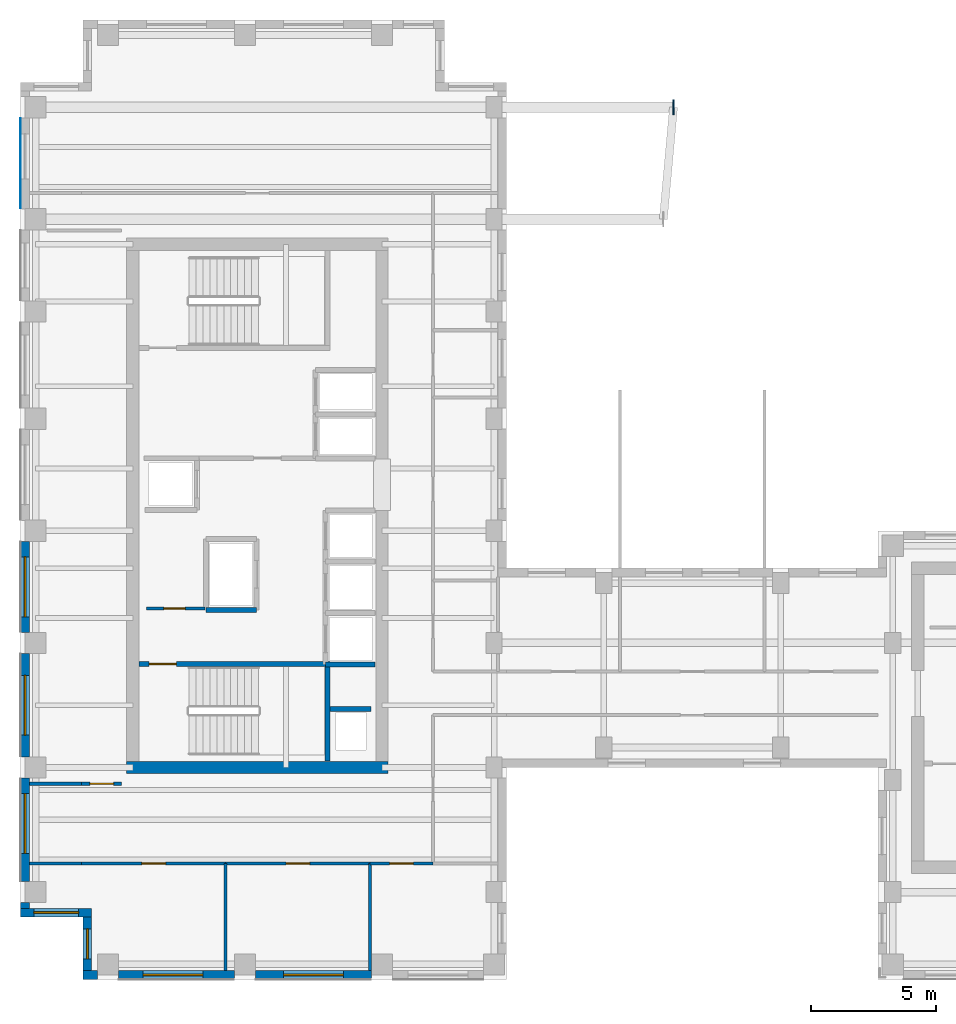
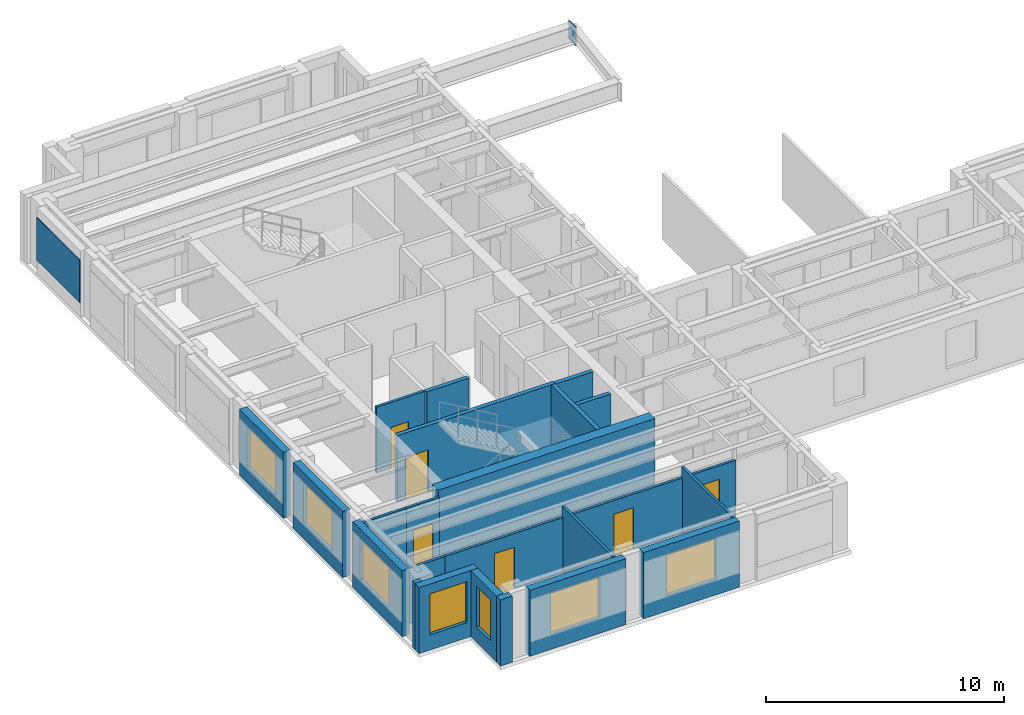
# One storey, part 4 of 11: 24 walls, 7 windows, 6 doors, 2 plates, 13 openings.
"""IFC4 building model written with IfcOpenShell, lengths in metres."""

from ifc_helpers import new_model, si_unit, direction, frame, frame_2d, origin, origin_2d, place, context, subcontext, project, spatial, rectangle, extrude, source, transform, mapped, material, layer, layer_set, type_object, element, fill, save


model = new_model("IFC4")

# Units and contexts
model_context = context("Model", 3, precision=1e-05, world=origin(), true_north=direction((0.0, 1.0)))
body_context = subcontext(model_context, "Body", "Model", "MODEL_VIEW")
ifc_project = project(units=[si_unit("LENGTHUNIT", "METRE"), si_unit("AREAUNIT", "SQUARE_METRE"), si_unit("VOLUMEUNIT", "CUBIC_METRE"), si_unit("PLANEANGLEUNIT", "RADIAN"), si_unit("MASSUNIT", "GRAM", prefix="KILO")], contexts=[model_context])

# Site, building, storey
site_placement = place(None, origin())
site = spatial("IfcSite", under=ifc_project, at=site_placement, CompositionType="ELEMENT")
building_placement = place(site_placement, origin())
building = spatial("IfcBuilding", under=site, at=building_placement, Name="Kharzan Plaza Tower", CompositionType="ELEMENT")
storey_placement = place(building_placement, frame((0.0, 0.0, 234.0)))
storey = spatial("IfcBuildingStorey", under=building, at=storey_placement, Name="L63", CompositionType="ELEMENT", Elevation=234.0)

# Plates
ifc_material_1 = material(Name="Steel S460", Category="steel")
ifc_layer_1 = layer(ifc_material_1, 0.0419921875)
ifc_layer_set_1 = layer_set([ifc_layer_1], Name="Steel S460")
plate_type_1 = type_object("IfcPlateType", Name="PLT-ZTN1", PredefinedType="USERDEFINED", material=ifc_layer_set_1)
shared_shape_1 = source(origin(), body_context, "Body", "SweptSolid", [
    extrude(rectangle(XDim=0.60009765625, YDim=0.0419921875, at=origin_2d()), origin(), (0.0, 0.0, 1.0), 0.949951171875),
])
plate_1_placement = place(storey_placement, frame((26.199951171875, 35.0, 2.44140625), z_axis=(0.0, 0.0, 1.0), x_axis=(0.0, 1.0, 0.0)))
element("IfcPlate", 1, at=plate_1_placement, inside=storey, type_object=plate_type_1, Name="L63 Sky-Terrace Cantilever Tip Plate ZTN1", ObjectType="FLANGE_PLATE", PredefinedType="USERDEFINED", context=body_context, shape_type="MappedRepresentation", body=[
    mapped(shared_shape_1, transform((0.0, 0.0, 0.0), x_axis=(1.0, 0.0, 0.0), y_axis=(0.0, 1.0, 0.0), z_axis=(0.0, 0.0, 1.0))),
])
ifc_material_2 = material(Name="Perforated Bronze-Anodized Aluminium", Category="aluminium")
ifc_layer_2 = layer(ifc_material_2, 0.030029296875)
ifc_layer_set_2 = layer_set([ifc_layer_2], Name="Perforated Bronze-Anodized Aluminium")
plate_type_2 = type_object("IfcPlateType", Name="PLT-MASH-SCREEN", PredefinedType="SHEET", material=ifc_layer_set_2)
shared_shape_2 = source(origin(), body_context, "Body", "SweptSolid", [
    extrude(rectangle(XDim=3.614013671875, YDim=0.030029296875, at=origin_2d()), origin(), (0.0, 0.0, 1.0), 2.199951171875),
])
plate_2_placement = place(storey_placement, frame((-0.012939453125, 32.75, 0.72998046875), z_axis=(0.0, 0.0, 1.0), x_axis=(0.0, -1.0, 0.0)))
element("IfcPlate", 2, at=plate_2_placement, inside=storey, type_object=plate_type_2, Name="L63 Perforated Mashrabiya Solar Screen", PredefinedType="SHEET", context=body_context, shape_type="MappedRepresentation", body=[
    mapped(shared_shape_2, transform((0.0, 0.0, 0.0), x_axis=(1.0, 0.0, 0.0), y_axis=(0.0, 1.0, 0.0), z_axis=(0.0, 0.0, 1.0))),
])

# Wall, opening, window
ifc_material_3 = material(Name="Concrete C40/50", Category="concrete")
ifc_layer_3 = layer(ifc_material_3, 0.35009765625)
ifc_layer_set_3 = layer_set([ifc_layer_3], Name="Concrete C40/50")
wall_type_1 = type_object("IfcWallType", Name="WL-EXT-MAS-Z4", PredefinedType="SOLIDWALL", material=ifc_layer_set_3)
wall_1_placement = place(storey_placement, frame((0.175048828125, 17.576904296875, 0.0), z_axis=(0.0, 0.0, 1.0), x_axis=(0.0, -1.0, 0.0)))
wall_1 = element("IfcWall", 3, at=wall_1_placement, inside=storey, type_object=wall_type_1, Name="L63 Masonry-Frame Exterior Wall 20", PredefinedType="SOLIDWALL", context=body_context, shape_type="SweptSolid", body=[
    extrude(rectangle(XDim=3.65380859375, YDim=0.35009765625, at=frame_2d((1.826904296875, 0.0))), origin(), (0.0, 0.0, 1.0), 3.385009765625),
])
opening_1_placement = place(wall_1_placement, frame((0.626953125, 0.0, 0.780029296875)))
opening_1 = element("IfcOpeningElement", 4, at=opening_1_placement, cuts=wall_1, Name="Opening W2", PredefinedType="OPENING", context=body_context, shape_type="SweptSolid", body=[
    extrude(rectangle(XDim=2.39990234375, YDim=2.10009765625, at=frame_2d((1.199951171875, 1.050048828125))), frame((0.0, 0.18505859375, 0.0), z_axis=(0.0, -1.0, 0.0), x_axis=(1.0, 0.0, 0.0)), (0.0, 0.0, 1.0), 0.3701171875),
])
ifc_material_4 = material(Name="Low-E Double Glazing", Category="glass")
window_type_1 = type_object("IfcWindowType", Name="WN-REC-2400x2100", PartitioningType="SINGLE_PANEL", PredefinedType="WINDOW", material=ifc_material_4)
shared_shape_3 = source(origin(), body_context, "Body", "SweptSolid", [
    extrude(rectangle(XDim=2.39990234375, YDim=2.10009765625, at=frame_2d((1.199951171875, 1.050048828125))), frame((0.0, 0.030029296875, 0.0), z_axis=(0.0, -1.0, 0.0), x_axis=(1.0, 0.0, 0.0)), (0.0, 0.0, 1.0), 0.06005859375),
])
window_1_placement = place(opening_1_placement, origin())
window_1 = element("IfcWindow", 5, at=window_1_placement, inside=storey, type_object=window_type_1, Name="L63 Wide Recessed Solar-Control Window 20-1", OverallHeight=2.10009765625, OverallWidth=2.39990234375, PartitioningType="SINGLE_PANEL", PredefinedType="WINDOW", context=body_context, shape_type="MappedRepresentation", body=[
    mapped(shared_shape_3, transform((0.0, 0.0, 0.0), x_axis=(1.0, 0.0, 0.0), y_axis=(0.0, 1.0, 0.0), z_axis=(0.0, 0.0, 1.0))),
])
fill(opening_1, window_1)

wall_2_placement = place(storey_placement, frame((0.175048828125, 13.076904296875, 0.0), z_axis=(0.0, 0.0, 1.0), x_axis=(0.0, -1.0, 0.0)))
wall_2 = element("IfcWall", 6, at=wall_2_placement, inside=storey, type_object=wall_type_1, Name="L63 Masonry-Frame Exterior Wall 21", PredefinedType="SOLIDWALL", context=body_context, shape_type="SweptSolid", body=[
    extrude(rectangle(XDim=4.15380859375, YDim=0.35009765625, at=frame_2d((2.076904296875, 0.0))), origin(), (0.0, 0.0, 1.0), 3.385009765625),
])
opening_2_placement = place(wall_2_placement, frame((0.876953125, 0.0, 0.780029296875)))
opening_2 = element("IfcOpeningElement", 7, at=opening_2_placement, cuts=wall_2, Name="Opening W2", PredefinedType="OPENING", context=body_context, shape_type="SweptSolid", body=[
    extrude(rectangle(XDim=2.39990234375, YDim=2.10009765625, at=frame_2d((1.199951171875, 1.050048828125))), frame((0.0, 0.18505859375, 0.0), z_axis=(0.0, -1.0, 0.0), x_axis=(1.0, 0.0, 0.0)), (0.0, 0.0, 1.0), 0.3701171875),
])
window_2_placement = place(opening_2_placement, origin())
window_2 = element("IfcWindow", 8, at=window_2_placement, inside=storey, type_object=window_type_1, Name="L63 Wide Recessed Solar-Control Window 21-1", OverallHeight=2.10009765625, OverallWidth=2.39990234375, PartitioningType="SINGLE_PANEL", PredefinedType="WINDOW", context=body_context, shape_type="MappedRepresentation", body=[
    mapped(shared_shape_3, transform((0.0, 0.0, 0.0), x_axis=(1.0, 0.0, 0.0), y_axis=(0.0, 1.0, 0.0), z_axis=(0.0, 0.0, 1.0))),
])
fill(opening_2, window_2)

wall_3_placement = place(storey_placement, frame((0.175048828125, 8.076904296875, 0.0), z_axis=(0.0, 0.0, 1.0), x_axis=(0.0, -1.0, 0.0)))
wall_3 = element("IfcWall", 9, at=wall_3_placement, inside=storey, type_object=wall_type_1, Name="L63 Masonry-Frame Exterior Wall 22", PredefinedType="SOLIDWALL", context=body_context, shape_type="SweptSolid", body=[
    extrude(rectangle(XDim=4.15380859375, YDim=0.35009765625, at=frame_2d((2.076904296875, 0.0))), origin(), (0.0, 0.0, 1.0), 3.385009765625),
])
opening_3_placement = place(wall_3_placement, frame((0.626953125, 0.0, 0.780029296875)))
opening_3 = element("IfcOpeningElement", 10, at=opening_3_placement, cuts=wall_3, Name="Opening W2", PredefinedType="OPENING", context=body_context, shape_type="SweptSolid", body=[
    extrude(rectangle(XDim=2.39990234375, YDim=2.10009765625, at=frame_2d((1.199951171875, 1.050048828125))), frame((0.0, 0.18505859375, 0.0), z_axis=(0.0, -1.0, 0.0), x_axis=(1.0, 0.0, 0.0)), (0.0, 0.0, 1.0), 0.3701171875),
])
window_3_placement = place(opening_3_placement, origin())
window_3 = element("IfcWindow", 11, at=window_3_placement, inside=storey, type_object=window_type_1, Name="L63 Wide Recessed Solar-Control Window 22-1", OverallHeight=2.10009765625, OverallWidth=2.39990234375, PartitioningType="SINGLE_PANEL", PredefinedType="WINDOW", context=body_context, shape_type="MappedRepresentation", body=[
    mapped(shared_shape_3, transform((0.0, 0.0, 0.0), x_axis=(1.0, 0.0, 0.0), y_axis=(0.0, 1.0, 0.0), z_axis=(0.0, 0.0, 1.0))),
])
fill(opening_3, window_3)

wall_4_placement = place(storey_placement, frame((0.0, 2.675048828125, 0.0), z_axis=(0.0, 0.0, 1.0), x_axis=(1.0, 0.0, 0.0)))
wall_4 = element("IfcWall", 12, at=wall_4_placement, inside=storey, type_object=wall_type_1, Name="L63 Masonry-Frame Exterior Wall 24", PredefinedType="SOLIDWALL", context=body_context, shape_type="SweptSolid", body=[
    extrude(rectangle(XDim=2.85009765625, YDim=0.35009765625, at=frame_2d((1.425048828125, 0.0))), origin(), (0.0, 0.0, 1.0), 3.385009765625),
])
opening_4_placement = place(wall_4_placement, frame((0.52490234375, 0.0, 0.780029296875)))
opening_4 = element("IfcOpeningElement", 13, at=opening_4_placement, cuts=wall_4, Name="Opening W1", PredefinedType="OPENING", context=body_context, shape_type="SweptSolid", body=[
    extrude(rectangle(XDim=1.800048828125, YDim=2.10009765625, at=frame_2d((0.89990234375, 1.050048828125))), frame((0.0, 0.18505859375, 0.0), z_axis=(0.0, -1.0, 0.0), x_axis=(1.0, 0.0, 0.0)), (0.0, 0.0, 1.0), 0.3701171875),
])
window_type_2 = type_object("IfcWindowType", Name="WN-REC-1800x2100", PartitioningType="SINGLE_PANEL", PredefinedType="WINDOW", material=ifc_material_4)
shared_shape_4 = source(origin(), body_context, "Body", "SweptSolid", [
    extrude(rectangle(XDim=1.800048828125, YDim=2.10009765625, at=frame_2d((0.89990234375, 1.050048828125))), frame((0.0, 0.030029296875, 0.0), z_axis=(0.0, -1.0, 0.0), x_axis=(1.0, 0.0, 0.0)), (0.0, 0.0, 1.0), 0.06005859375),
])
window_4_placement = place(opening_4_placement, origin())
window_4 = element("IfcWindow", 14, at=window_4_placement, inside=storey, type_object=window_type_2, Name="L63 Recessed Solar-Control Window 24-1", OverallHeight=2.10009765625, OverallWidth=1.800048828125, PartitioningType="SINGLE_PANEL", PredefinedType="WINDOW", context=body_context, shape_type="MappedRepresentation", body=[
    mapped(shared_shape_4, transform((0.0, 0.0, 0.0), x_axis=(1.0, 0.0, 0.0), y_axis=(0.0, 1.0, 0.0), z_axis=(0.0, 0.0, 1.0))),
])
fill(opening_4, window_4)

wall_5_placement = place(storey_placement, frame((2.675048828125, 2.501953125, 0.0), z_axis=(0.0, 0.0, 1.0), x_axis=(0.0, -1.0, 0.0)))
wall_5 = element("IfcWall", 15, at=wall_5_placement, inside=storey, type_object=wall_type_1, Name="L63 Masonry-Frame Exterior Wall 25", PredefinedType="SOLIDWALL", context=body_context, shape_type="SweptSolid", body=[
    extrude(rectangle(XDim=2.154052734375, YDim=0.35009765625, at=frame_2d((1.0771484375, 0.0))), origin(), (0.0, 0.0, 1.0), 3.385009765625),
])
opening_5_placement = place(wall_5_placement, frame((0.47705078125, 0.0, 0.780029296875)))
opening_5 = element("IfcOpeningElement", 16, at=opening_5_placement, cuts=wall_5, Name="Opening W3", PredefinedType="OPENING", context=body_context, shape_type="SweptSolid", body=[
    extrude(rectangle(XDim=1.199951171875, YDim=2.10009765625, at=frame_2d((0.60009765625, 1.050048828125))), frame((0.0, 0.18505859375, 0.0), z_axis=(0.0, -1.0, 0.0), x_axis=(1.0, 0.0, 0.0)), (0.0, 0.0, 1.0), 0.3701171875),
])
window_type_3 = type_object("IfcWindowType", Name="WN-REC-1200x2100", PartitioningType="SINGLE_PANEL", PredefinedType="WINDOW", material=ifc_material_4)
shared_shape_5 = source(origin(), body_context, "Body", "SweptSolid", [
    extrude(rectangle(XDim=1.199951171875, YDim=2.10009765625, at=frame_2d((0.60009765625, 1.050048828125))), frame((0.0, 0.030029296875, 0.0), z_axis=(0.0, -1.0, 0.0), x_axis=(1.0, 0.0, 0.0)), (0.0, 0.0, 1.0), 0.06005859375),
])
window_5_placement = place(opening_5_placement, origin())
window_5 = element("IfcWindow", 17, at=window_5_placement, inside=storey, type_object=window_type_3, Name="L63 Recessed Solar-Control Window 25-1", OverallHeight=2.10009765625, OverallWidth=1.199951171875, PartitioningType="SINGLE_PANEL", PredefinedType="WINDOW", context=body_context, shape_type="MappedRepresentation", body=[
    mapped(shared_shape_5, transform((0.0, 0.0, 0.0), x_axis=(1.0, 0.0, 0.0), y_axis=(0.0, 1.0, 0.0), z_axis=(0.0, 0.0, 1.0))),
])
fill(opening_5, window_5)

wall_6_placement = place(storey_placement, frame((3.923095703125, 0.175048828125, 0.0), z_axis=(0.0, 0.0, 1.0), x_axis=(1.0, 0.0, 0.0)))
wall_6 = element("IfcWall", 18, at=wall_6_placement, inside=storey, type_object=wall_type_1, Name="L63 Masonry-Frame Exterior Wall 27", PredefinedType="SOLIDWALL", context=body_context, shape_type="SweptSolid", body=[
    extrude(rectangle(XDim=4.65380859375, YDim=0.35009765625, at=frame_2d((2.326904296875, 0.0))), origin(), (0.0, 0.0, 1.0), 3.385009765625),
])
opening_6_placement = place(wall_6_placement, frame((0.987060546875, 0.0, 0.780029296875)))
opening_6 = element("IfcOpeningElement", 19, at=opening_6_placement, cuts=wall_6, Name="Opening W2", PredefinedType="OPENING", context=body_context, shape_type="SweptSolid", body=[
    extrude(rectangle(XDim=2.39990234375, YDim=2.10009765625, at=frame_2d((1.199951171875, 1.050048828125))), frame((0.0, 0.18505859375, 0.0), z_axis=(0.0, -1.0, 0.0), x_axis=(1.0, 0.0, 0.0)), (0.0, 0.0, 1.0), 0.3701171875),
])
window_6_placement = place(opening_6_placement, origin())
window_6 = element("IfcWindow", 20, at=window_6_placement, inside=storey, type_object=window_type_1, Name="L63 Wide Recessed Solar-Control Window 27-1", OverallHeight=2.10009765625, OverallWidth=2.39990234375, PartitioningType="SINGLE_PANEL", PredefinedType="WINDOW", context=body_context, shape_type="MappedRepresentation", body=[
    mapped(shared_shape_3, transform((0.0, 0.0, 0.0), x_axis=(1.0, 0.0, 0.0), y_axis=(0.0, 1.0, 0.0), z_axis=(0.0, 0.0, 1.0))),
])
fill(opening_6, window_6)

wall_7_placement = place(storey_placement, frame((9.423095703125, 0.175048828125, 0.0), z_axis=(0.0, 0.0, 1.0), x_axis=(1.0, 0.0, 0.0)))
wall_7 = element("IfcWall", 21, at=wall_7_placement, inside=storey, type_object=wall_type_1, Name="L63 Masonry-Frame Exterior Wall 28", PredefinedType="SOLIDWALL", context=body_context, shape_type="SweptSolid", body=[
    extrude(rectangle(XDim=4.65380859375, YDim=0.35009765625, at=frame_2d((2.326904296875, 0.0))), origin(), (0.0, 0.0, 1.0), 3.385009765625),
])
opening_7_placement = place(wall_7_placement, frame((1.126953125, 0.0, 0.780029296875)))
opening_7 = element("IfcOpeningElement", 22, at=opening_7_placement, cuts=wall_7, Name="Opening W2", PredefinedType="OPENING", context=body_context, shape_type="SweptSolid", body=[
    extrude(rectangle(XDim=2.39990234375, YDim=2.10009765625, at=frame_2d((1.199951171875, 1.050048828125))), frame((0.0, 0.18505859375, 0.0), z_axis=(0.0, -1.0, 0.0), x_axis=(1.0, 0.0, 0.0)), (0.0, 0.0, 1.0), 0.3701171875),
])
window_7_placement = place(opening_7_placement, origin())
window_7 = element("IfcWindow", 23, at=window_7_placement, inside=storey, type_object=window_type_1, Name="L63 Wide Recessed Solar-Control Window 28-1", OverallHeight=2.10009765625, OverallWidth=2.39990234375, PartitioningType="SINGLE_PANEL", PredefinedType="WINDOW", context=body_context, shape_type="MappedRepresentation", body=[
    mapped(shared_shape_3, transform((0.0, 0.0, 0.0), x_axis=(1.0, 0.0, 0.0), y_axis=(0.0, 1.0, 0.0), z_axis=(0.0, 0.0, 1.0))),
])
fill(opening_7, window_7)

# Wall, opening, door
ifc_material_5 = material(Name="Fire-Rated Gypsum Board Partition", Category="gypsum")
ifc_layer_4 = layer(ifc_material_5, 0.125)
ifc_layer_set_4 = layer_set([ifc_layer_4], Name="Fire-Rated Gypsum Board Partition")
wall_type_2 = type_object("IfcWallType", Name="WL-INT-PART-125", PredefinedType="PARTITIONING", material=ifc_layer_set_4)
wall_8_placement = place(storey_placement, frame((5.050048828125, 14.8798828125, 0.0), z_axis=(0.0, 0.0, 1.0), x_axis=(1.0, 0.0, 0.0)))
wall_8 = element("IfcWall", 24, at=wall_8_placement, inside=storey, type_object=wall_type_2, Name="L63 Interior Partition CA-K0", PredefinedType="PARTITIONING", context=body_context, shape_type="SweptSolid", body=[
    extrude(rectangle(XDim=2.349853515625, YDim=0.125, at=frame_2d((1.1748046875, 0.0))), origin(), (0.0, 0.0, 1.0), 3.385009765625),
])
opening_8_placement = place(wall_8_placement, frame((0.699951171875, 0.0, 0.0)))
opening_8 = element("IfcOpeningElement", 25, at=opening_8_placement, cuts=wall_8, Name="Opening RD1", PredefinedType="OPENING", context=body_context, shape_type="SweptSolid", body=[
    extrude(rectangle(XDim=0.85009765625, YDim=2.10009765625, at=frame_2d((0.425048828125, 1.050048828125))), frame((0.0, 0.072509765625, 0.0), z_axis=(0.0, -1.0, 0.0), x_axis=(1.0, 0.0, 0.0)), (0.0, 0.0, 1.0), 0.14501953125),
])
ifc_material_6 = material(Name="Powder-Coated Fire-Rated Steel", Category="steel")
door_type_1 = type_object("IfcDoorType", Name="DR-RISER-900", OperationType="NOTDEFINED", PredefinedType="DOOR", material=ifc_material_6)
shared_shape_6 = source(origin(), body_context, "Body", "SweptSolid", [
    extrude(rectangle(XDim=0.85009765625, YDim=2.10009765625, at=frame_2d((0.425048828125, 1.050048828125))), frame((0.0, 0.02490234375, 0.0), z_axis=(0.0, -1.0, 0.0), x_axis=(1.0, 0.0, 0.0)), (0.0, 0.0, 1.0), 0.050048828125),
])
door_1_placement = place(opening_8_placement, origin())
door_1 = element("IfcDoor", 26, at=door_1_placement, inside=storey, type_object=door_type_1, Name="L63 Cleaners Store Door", OperationType="SINGLE_SWING_LEFT", OverallHeight=2.10009765625, OverallWidth=0.85009765625, PredefinedType="DOOR", context=body_context, shape_type="MappedRepresentation", body=[
    mapped(shared_shape_6, transform((0.0, 0.0, 0.0), x_axis=(1.0, 0.0, 0.0), y_axis=(0.0, 1.0, 0.0), z_axis=(0.0, 0.0, 1.0))),
])
fill(opening_8, door_1)

wall_9_placement = place(storey_placement, frame((2.449951171875, 7.85009765625, 0.0), z_axis=(0.0, 0.0, 1.0), x_axis=(1.0, 0.0, 0.0)))
wall_9 = element("IfcWall", 27, at=wall_9_placement, inside=storey, type_object=wall_type_2, Name="L63 Interior Partition SH-RWSD", PredefinedType="PARTITIONING", context=body_context, shape_type="SweptSolid", body=[
    extrude(rectangle(XDim=1.60009765625, YDim=0.125, at=frame_2d((0.800048828125, 0.0))), origin(), (0.0, 0.0, 1.0), 3.385009765625),
])
opening_9_placement = place(wall_9_placement, frame((0.324951171875, 0.0, 0.0)))
opening_9 = element("IfcOpeningElement", 28, at=opening_9_placement, cuts=wall_9, Name="Opening OD1", PredefinedType="OPENING", context=body_context, shape_type="SweptSolid", body=[
    extrude(rectangle(XDim=0.949951171875, YDim=2.14990234375, at=frame_2d((0.47509765625, 1.074951171875))), frame((0.0, 0.072509765625, 0.0), z_axis=(0.0, -1.0, 0.0), x_axis=(1.0, 0.0, 0.0)), (0.0, 0.0, 1.0), 0.14501953125),
])
ifc_material_7 = material(Name="Acoustic Solid-Core Stained Oak", Category="timber")
door_type_2 = type_object("IfcDoorType", Name="DR-OFF-SINGLE", OperationType="NOTDEFINED", PredefinedType="DOOR", material=ifc_material_7)
shared_shape_7 = source(origin(), body_context, "Body", "SweptSolid", [
    extrude(rectangle(XDim=0.949951171875, YDim=2.14990234375, at=frame_2d((0.47509765625, 1.074951171875))), frame((0.0, 0.02490234375, 0.0), z_axis=(0.0, -1.0, 0.0), x_axis=(1.0, 0.0, 0.0)), (0.0, 0.0, 1.0), 0.050048828125),
])
door_2_placement = place(opening_9_placement, origin())
door_2 = element("IfcDoor", 29, at=door_2_placement, inside=storey, type_object=door_type_2, Name="L63 West Studio South Door", OperationType="SINGLE_SWING_RIGHT", OverallHeight=2.14990234375, OverallWidth=0.949951171875, PredefinedType="DOOR", context=body_context, shape_type="MappedRepresentation", body=[
    mapped(shared_shape_7, transform((0.0, 0.0, 0.0), x_axis=(1.0, 0.0, 0.0), y_axis=(0.0, 1.0, 0.0), z_axis=(0.0, 0.0, 1.0))),
])
fill(opening_9, door_2)

wall_10_placement = place(storey_placement, frame((2.449951171875, 4.64990234375, 0.0), z_axis=(0.0, 0.0, 1.0), x_axis=(1.0, 0.0, 0.0)))
wall_10 = element("IfcWall", 30, at=wall_10_placement, inside=storey, type_object=wall_type_2, Name="L63 Interior Partition SH-SS-1", PredefinedType="PARTITIONING", context=body_context, shape_type="SweptSolid", body=[
    extrude(rectangle(XDim=5.777099609375, YDim=0.125, at=frame_2d((2.888671875, 0.0))), origin(), (0.0, 0.0, 1.0), 2.847900390625),
])
opening_10_placement = place(wall_10_placement, frame((2.41357421875, 0.0, 0.0)))
opening_10 = element("IfcOpeningElement", 31, at=opening_10_placement, cuts=wall_10, Name="Opening OD1", PredefinedType="OPENING", context=body_context, shape_type="SweptSolid", body=[
    extrude(rectangle(XDim=0.949951171875, YDim=2.14990234375, at=frame_2d((0.47509765625, 1.074951171875))), frame((0.0, 0.072509765625, 0.0), z_axis=(0.0, -1.0, 0.0), x_axis=(1.0, 0.0, 0.0)), (0.0, 0.0, 1.0), 0.14501953125),
])
door_3_placement = place(opening_10_placement, origin())
door_3 = element("IfcDoor", 32, at=door_3_placement, inside=storey, type_object=door_type_2, Name="L63 Software Engineering Office Door", OperationType="SINGLE_SWING_LEFT", OverallHeight=2.14990234375, OverallWidth=0.949951171875, PredefinedType="DOOR", context=body_context, shape_type="MappedRepresentation", body=[
    mapped(shared_shape_7, transform((0.0, 0.0, 0.0), x_axis=(1.0, 0.0, 0.0), y_axis=(0.0, 1.0, 0.0), z_axis=(0.0, 0.0, 1.0))),
])
fill(opening_10, door_3)

wall_11_placement = place(storey_placement, frame((8.22705078125, 4.64990234375, 0.0), z_axis=(0.0, 0.0, 1.0), x_axis=(1.0, 0.0, 0.0)))
wall_11 = element("IfcWall", 33, at=wall_11_placement, inside=storey, type_object=wall_type_2, Name="L63 Interior Partition SH-SS-2", PredefinedType="PARTITIONING", context=body_context, shape_type="SweptSolid", body=[
    extrude(rectangle(XDim=5.7919921875, YDim=0.125, at=frame_2d((2.89599609375, 0.0))), origin(), (0.0, 0.0, 1.0), 2.847900390625),
])
opening_11_placement = place(wall_11_placement, frame((2.4208984375, 0.0, 0.0)))
opening_11 = element("IfcOpeningElement", 34, at=opening_11_placement, cuts=wall_11, Name="Opening OD1", PredefinedType="OPENING", context=body_context, shape_type="SweptSolid", body=[
    extrude(rectangle(XDim=0.949951171875, YDim=2.14990234375, at=frame_2d((0.47509765625, 1.074951171875))), frame((0.0, 0.072509765625, 0.0), z_axis=(0.0, -1.0, 0.0), x_axis=(1.0, 0.0, 0.0)), (0.0, 0.0, 1.0), 0.14501953125),
])
door_4_placement = place(opening_11_placement, origin())
door_4 = element("IfcDoor", 35, at=door_4_placement, inside=storey, type_object=door_type_2, Name="L63 Cloud Architecture Office Door", OperationType="SINGLE_SWING_RIGHT", OverallHeight=2.14990234375, OverallWidth=0.949951171875, PredefinedType="DOOR", context=body_context, shape_type="MappedRepresentation", body=[
    mapped(shared_shape_7, transform((0.0, 0.0, 0.0), x_axis=(1.0, 0.0, 0.0), y_axis=(0.0, 1.0, 0.0), z_axis=(0.0, 0.0, 1.0))),
])
fill(opening_11, door_4)

wall_12_placement = place(storey_placement, frame((14.01904296875, 4.64990234375, 0.0), z_axis=(0.0, 0.0, 1.0), x_axis=(1.0, 0.0, 0.0)))
wall_12 = element("IfcWall", 36, at=wall_12_placement, inside=storey, type_object=wall_type_2, Name="L63 Interior Partition SH-SS-3", PredefinedType="PARTITIONING", context=body_context, shape_type="SweptSolid", body=[
    extrude(rectangle(XDim=2.531005859375, YDim=0.125, at=frame_2d((1.265625, 0.0))), origin(), (0.0, 0.0, 1.0), 2.847900390625),
])
opening_12_placement = place(wall_12_placement, frame((0.79052734375, 0.0, 0.0)))
opening_12 = element("IfcOpeningElement", 37, at=opening_12_placement, cuts=wall_12, Name="Opening OD1", PredefinedType="OPENING", context=body_context, shape_type="SweptSolid", body=[
    extrude(rectangle(XDim=0.949951171875, YDim=2.14990234375, at=frame_2d((0.47509765625, 1.074951171875))), frame((0.0, 0.072509765625, 0.0), z_axis=(0.0, -1.0, 0.0), x_axis=(1.0, 0.0, 0.0)), (0.0, 0.0, 1.0), 0.14501953125),
])
door_5_placement = place(opening_12_placement, origin())
door_5 = element("IfcDoor", 38, at=door_5_placement, inside=storey, type_object=door_type_2, Name="L63 Sprint Review Meeting Room Door", OperationType="SINGLE_SWING_LEFT", OverallHeight=2.14990234375, OverallWidth=0.949951171875, PredefinedType="DOOR", context=body_context, shape_type="MappedRepresentation", body=[
    mapped(shared_shape_7, transform((0.0, 0.0, 0.0), x_axis=(1.0, 0.0, 0.0), y_axis=(0.0, 1.0, 0.0), z_axis=(0.0, 0.0, 1.0))),
])
fill(opening_12, door_5)

ifc_material_8 = material(Name="Concrete C50/60", Category="concrete")
ifc_layer_5 = layer(ifc_material_8, 0.199951171875)
ifc_layer_set_5 = layer_set([ifc_layer_5], Name="Concrete C50/60")
wall_type_3 = type_object("IfcWallType", Name="WL-SHAFT-RC200", PredefinedType="SHEAR", material=ifc_layer_set_5)
wall_13_placement = place(storey_placement, frame((4.751953125, 12.655029296875, 0.0), z_axis=(0.0, 0.0, 1.0), x_axis=(1.0, 0.0, 0.0)))
wall_13 = element("IfcWall", 39, at=wall_13_placement, inside=storey, type_object=wall_type_3, Name="L63 Stair ST-1 North RC Shaft Wall", PredefinedType="SHEAR", context=body_context, shape_type="SweptSolid", body=[
    extrude(rectangle(XDim=7.653076171875, YDim=0.199951171875, at=frame_2d((3.82666015625, 0.0))), origin(), (0.0, 0.0, 1.0), 3.39990234375),
])
opening_13_placement = place(wall_13_placement, frame((0.39990234375, 0.0, 0.0)))
opening_13 = element("IfcOpeningElement", 40, at=opening_13_placement, cuts=wall_13, Name="Opening SD1", PredefinedType="OPENING", context=body_context, shape_type="SweptSolid", body=[
    extrude(rectangle(XDim=1.10009765625, YDim=2.14990234375, at=frame_2d((0.550048828125, 1.074951171875))), frame((0.0, 0.10986328125, 0.0), z_axis=(0.0, -1.0, 0.0), x_axis=(1.0, 0.0, 0.0)), (0.0, 0.0, 1.0), 0.219970703125),
])
ifc_material_9 = material(Name="Fire-Rated Hollow Galvanized Steel", Category="steel")
door_type_3 = type_object("IfcDoorType", Name="DR-STAIR-FD120", OperationType="NOTDEFINED", PredefinedType="DOOR", material=ifc_material_9)
shared_shape_8 = source(origin(), body_context, "Body", "SweptSolid", [
    extrude(rectangle(XDim=1.10009765625, YDim=2.14990234375, at=frame_2d((0.550048828125, 1.074951171875))), frame((0.0, 0.02490234375, 0.0), z_axis=(0.0, -1.0, 0.0), x_axis=(1.0, 0.0, 0.0)), (0.0, 0.0, 1.0), 0.050048828125),
])
door_6_placement = place(opening_13_placement, origin())
door_6 = element("IfcDoor", 41, at=door_6_placement, inside=storey, type_object=door_type_3, Name="L63 Stair ST-1 Fire Exit Door", OperationType="SINGLE_SWING_RIGHT", OverallHeight=2.14990234375, OverallWidth=1.10009765625, PredefinedType="DOOR", context=body_context, shape_type="MappedRepresentation", body=[
    mapped(shared_shape_8, transform((0.0, 0.0, 0.0), x_axis=(1.0, 0.0, 0.0), y_axis=(0.0, 1.0, 0.0), z_axis=(0.0, 0.0, 1.0))),
])
fill(opening_13, door_6)

# Walls
shared_shape_9 = source(origin(), body_context, "Body", "SweptSolid", [
    extrude(rectangle(XDim=2.097900390625, YDim=0.125, at=frame_2d((1.048828125, 0.0))), origin(), (0.0, 0.0, 1.0), 3.385009765625),
])
wall_14_placement = place(storey_placement, frame((0.35205078125, 7.85009765625, 0.0), z_axis=(0.0, 0.0, 1.0), x_axis=(1.0, 0.0, 0.0)))
element("IfcWall", 42, at=wall_14_placement, inside=storey, type_object=wall_type_2, Name="L63 Interior Partition SH-RWS0", PredefinedType="PARTITIONING", context=body_context, shape_type="MappedRepresentation", body=[
    mapped(shared_shape_9, transform((0.0, 0.0, 0.0), x_axis=(1.0, 0.0, 0.0), y_axis=(0.0, 1.0, 0.0), z_axis=(0.0, 0.0, 1.0))),
])
shared_shape_10 = source(origin(), body_context, "Body", "SweptSolid", [
    extrude(rectangle(XDim=2.097900390625, YDim=0.125, at=frame_2d((1.048828125, 0.0))), origin(), (0.0, 0.0, 1.0), 2.847900390625),
])
wall_15_placement = place(storey_placement, frame((0.35205078125, 4.64990234375, 0.0), z_axis=(0.0, 0.0, 1.0), x_axis=(1.0, 0.0, 0.0)))
element("IfcWall", 43, at=wall_15_placement, inside=storey, type_object=wall_type_2, Name="L63 Interior Partition SH-SS-EXT", PredefinedType="PARTITIONING", context=body_context, shape_type="MappedRepresentation", body=[
    mapped(shared_shape_10, transform((0.0, 0.0, 0.0), x_axis=(1.0, 0.0, 0.0), y_axis=(0.0, 1.0, 0.0), z_axis=(0.0, 0.0, 1.0))),
])
shared_shape_11 = source(origin(), body_context, "Body", "SweptSolid", [
    extrude(rectangle(XDim=4.2978515625, YDim=0.125, at=frame_2d((2.14892578125, 0.0))), origin(), (0.0, 0.0, 1.0), 3.385009765625),
])
for number, where, z_axis, x_axis, name in (
    (44, (8.22705078125, 0.35205078125, 0.0), (0.0, 0.0, 1.0), (0.0, 1.0, 0.0), "L63 Interior Partition SH-SV-1"),
    (45, (14.01904296875, 0.35205078125, 0.0), (0.0, 0.0, 1.0), (0.0, 1.0, 0.0), "L63 Interior Partition SH-SV-2"),
):
    element("IfcWall", number, at=place(storey_placement, frame(where, z_axis=z_axis, x_axis=x_axis)), inside=storey, type_object=wall_type_2, Name=name, PredefinedType="PARTITIONING", context=body_context, shape_type="MappedRepresentation", body=[
        mapped(shared_shape_11, transform((0.0, 0.0, 0.0), x_axis=(1.0, 0.0, 0.0), y_axis=(0.0, 1.0, 0.0), z_axis=(0.0, 0.0, 1.0))),
    ])
ifc_layer_6 = layer(ifc_material_3, 0.199951171875)
ifc_layer_set_6 = layer_set([ifc_layer_6], Name="Concrete C40/50")
wall_type_4 = type_object("IfcWallType", Name="WL-INT-SHAFT-200", PredefinedType="PARTITIONING", material=ifc_layer_set_6)
shared_shape_12 = source(origin(), body_context, "Body", "SweptSolid", [
    extrude(rectangle(XDim=1.630126953125, YDim=0.199951171875, at=frame_2d((0.81494140625, 0.0))), origin(), (0.0, 0.0, 1.0), 3.385009765625),
])
wall_16_placement = place(storey_placement, frame((12.419921875, 10.85009765625, 0.0), z_axis=(0.0, 0.0, 1.0), x_axis=(1.0, 0.0, 0.0)))
element("IfcWall", 46, at=wall_16_placement, inside=storey, type_object=wall_type_4, Name="L63 Interior Partition CA-RSRA-N", PredefinedType="PARTITIONING", context=body_context, shape_type="MappedRepresentation", body=[
    mapped(shared_shape_12, transform((0.0, 0.0, 0.0), x_axis=(1.0, 0.0, 0.0), y_axis=(0.0, 1.0, 0.0), z_axis=(0.0, 0.0, 1.0))),
])
shared_shape_13 = source(origin(), body_context, "Body", "SweptSolid", [
    extrude(rectangle(XDim=2.0400390625, YDim=0.199951171875, at=frame_2d((1.02001953125, 0.0))), origin(), (0.0, 0.0, 1.0), 3.385009765625),
])
wall_17_placement = place(storey_placement, frame((7.429931640625, 14.830078125, 0.0), z_axis=(0.0, 0.0, 1.0), x_axis=(1.0, 0.0, 0.0)))
element("IfcWall", 47, at=wall_17_placement, inside=storey, type_object=wall_type_4, Name="L63 Interior Partition SHF-SVL-1-S", PredefinedType="PARTITIONING", context=body_context, shape_type="MappedRepresentation", body=[
    mapped(shared_shape_13, transform((0.0, 0.0, 0.0), x_axis=(1.0, 0.0, 0.0), y_axis=(0.0, 1.0, 0.0), z_axis=(0.0, 0.0, 1.0))),
])
shared_shape_14 = source(origin(), body_context, "Body", "SweptSolid", [
    extrude(rectangle(XDim=0.576904296875, YDim=0.35009765625, at=frame_2d((0.28857421875, 0.0))), origin(), (0.0, 0.0, 1.0), 3.385009765625),
])
wall_18_placement = place(storey_placement, frame((2.5, 0.175048828125, 0.0), z_axis=(0.0, 0.0, 1.0), x_axis=(1.0, 0.0, 0.0)))
element("IfcWall", 48, at=wall_18_placement, inside=storey, type_object=wall_type_1, Name="L63 Masonry-Frame Exterior Wall 26", PredefinedType="SOLIDWALL", context=body_context, shape_type="MappedRepresentation", body=[
    mapped(shared_shape_14, transform((0.0, 0.0, 0.0), x_axis=(1.0, 0.0, 0.0), y_axis=(0.0, 1.0, 0.0), z_axis=(0.0, 0.0, 1.0))),
])
shared_shape_15 = source(origin(), body_context, "Body", "SweptSolid", [
    extrude(rectangle(XDim=0.22900390625, YDim=0.35009765625, at=frame_2d((0.114501953125, 0.0))), origin(), (0.0, 0.0, 1.0), 3.385009765625),
])
wall_19_placement = place(storey_placement, frame((0.175048828125, 3.076904296875, 0.0), z_axis=(0.0, 0.0, 1.0), x_axis=(0.0, -1.0, 0.0)))
element("IfcWall", 49, at=wall_19_placement, inside=storey, type_object=wall_type_1, Name="L63 Masonry-Frame Exterior Wall 23", PredefinedType="SOLIDWALL", context=body_context, shape_type="MappedRepresentation", body=[
    mapped(shared_shape_15, transform((0.0, 0.0, 0.0), x_axis=(1.0, 0.0, 0.0), y_axis=(0.0, 1.0, 0.0), z_axis=(0.0, 0.0, 1.0))),
])
shared_shape_16 = source(origin(), body_context, "Body", "SweptSolid", [
    extrude(rectangle(XDim=1.989990234375, YDim=0.199951171875, at=frame_2d((0.9951171875, 0.0))), origin(), (0.0, 0.0, 1.0), 3.385009765625),
])
wall_20_placement = place(storey_placement, frame((12.22998046875, 12.6298828125, 0.0), z_axis=(0.0, 0.0, 1.0), x_axis=(1.0, 0.0, 0.0)))
element("IfcWall", 50, at=wall_20_placement, inside=storey, type_object=wall_type_4, Name="L63 Interior Partition SHF-PL-H1-S", PredefinedType="PARTITIONING", context=body_context, shape_type="MappedRepresentation", body=[
    mapped(shared_shape_16, transform((0.0, 0.0, 0.0), x_axis=(1.0, 0.0, 0.0), y_axis=(0.0, 1.0, 0.0), z_axis=(0.0, 0.0, 1.0))),
])
ifc_layer_7 = layer(ifc_material_8, 0.5)
ifc_layer_set_7 = layer_set([ifc_layer_7], Name="Concrete C50/60")
wall_type_5 = type_object("IfcWallType", Name="WL-CORE-500", PredefinedType="SHEAR", material=ifc_layer_set_7)
shared_shape_17 = source(origin(), body_context, "Body", "SweptSolid", [
    extrude(rectangle(XDim=10.5, YDim=0.5, at=frame_2d((5.25, 0.0))), origin(), (0.0, 0.0, 1.0), 3.39990234375),
])
wall_21_placement = place(storey_placement, frame((4.25, 8.5, 0.0), z_axis=(0.0, 0.0, 1.0), x_axis=(1.0, 0.0, 0.0)))
element("IfcWall", 51, at=wall_21_placement, inside=storey, type_object=wall_type_5, Name="L63 CORE-A south RC shear wall", PredefinedType="SHEAR", context=body_context, shape_type="MappedRepresentation", body=[
    mapped(shared_shape_17, transform((0.0, 0.0, 0.0), x_axis=(1.0, 0.0, 0.0), y_axis=(0.0, 1.0, 0.0), z_axis=(0.0, 0.0, 1.0))),
])
shared_shape_18 = source(origin(), body_context, "Body", "SweptSolid", [
    extrude(rectangle(XDim=3.802978515625, YDim=0.199951171875, at=frame_2d((1.9013671875, 0.0))), origin(), (0.0, 0.0, 1.0), 3.39990234375),
])
wall_22_placement = place(storey_placement, frame((12.304931640625, 8.751953125, 0.0), z_axis=(0.0, 0.0, 1.0), x_axis=(0.0, 1.0, 0.0)))
element("IfcWall", 52, at=wall_22_placement, inside=storey, type_object=wall_type_3, Name="L63 Stair ST-1 East RC Shaft Wall", PredefinedType="SHEAR", context=body_context, shape_type="MappedRepresentation", body=[
    mapped(shared_shape_18, transform((0.0, 0.0, 0.0), x_axis=(1.0, 0.0, 0.0), y_axis=(0.0, 1.0, 0.0), z_axis=(0.0, 0.0, 1.0))),
])

save(model, "model.ifc")
